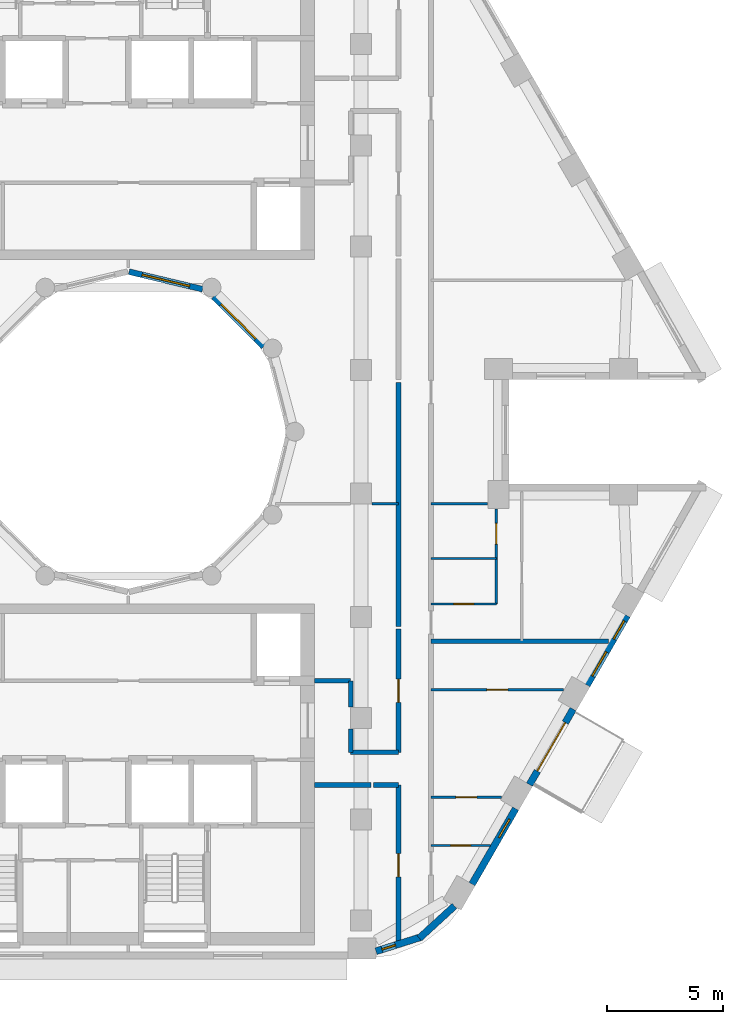
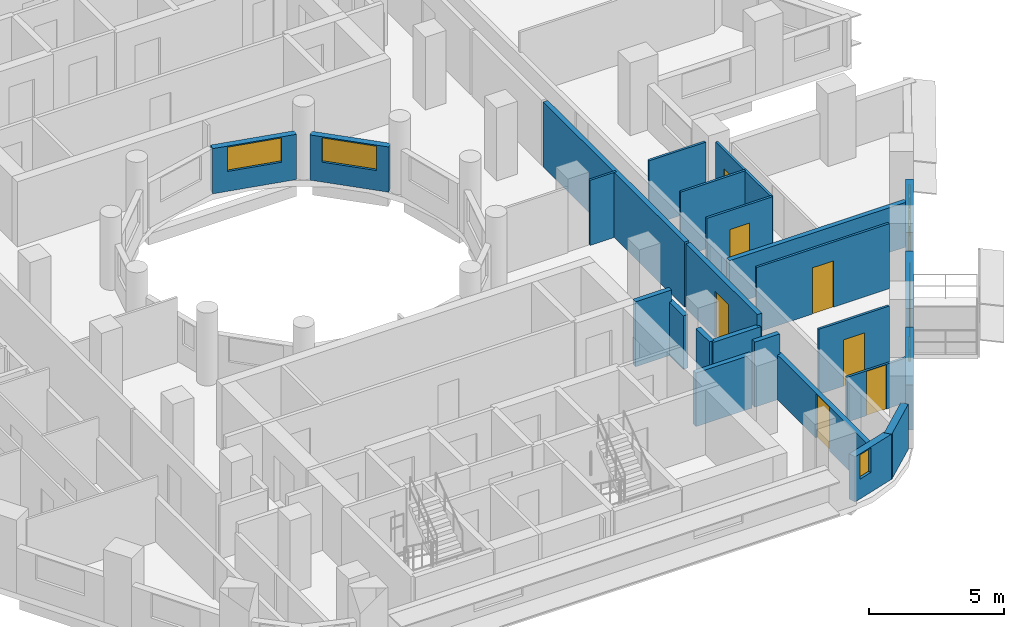
# One storey, part 6 of 15: 25 walls, 8 doors, 6 windows, 14 openings.
"""IFC4 building model written with IfcOpenShell, lengths in metres."""

import ifcopenshell
import ifcopenshell.guid

model = None  # the IFC model being written
_history = None  # IfcOwnerHistory: only IFC2X3 demands one
_inside = {}  # id of a spatial element -> (the spatial element, [elements in it])
_under = {}  # id of a project, library or spatial element -> (it, [spatial elements below it])
_declared = {}  # id of a project -> (the project, [libraries it declares])
_typed = {}  # id of a type object -> (the type object, [elements of that type])
_made_of = {}  # id of a material, layer set ... -> (it, [elements and type objects made of it])


def new_model(schema):
    """Start an empty IFC model of exactly this schema.

    Asked for "IFC4X3", IfcOpenShell would pick the latest addendum, in which some entities
    have other attributes; the version numbers below select the first issue.
    IFC2X3 requires an IfcOwnerHistory on every rooted entity: one is made here for all.
    """
    global model, _history
    if schema == "IFC4X3":
        model = ifcopenshell.file(schema_version=(4, 3, 0, 0))
    else:
        model = ifcopenshell.file(schema=schema)
    _inside.clear()
    _under.clear()
    _declared.clear()
    _typed.clear()
    _made_of.clear()
    _history = None
    if model.schema == "IFC2X3":
        org = make("IfcOrganization", Name="unknown")
        user = make(
            "IfcPersonAndOrganization",
            ThePerson=make("IfcPerson", FamilyName="unknown"),
            TheOrganization=org,
        )
        app = make(
            "IfcApplication",
            ApplicationDeveloper=org,
            Version="unknown",
            ApplicationFullName="unknown",
            ApplicationIdentifier="unknown",
        )
        _history = make(
            "IfcOwnerHistory",
            OwningUser=user,
            OwningApplication=app,
            ChangeAction="ADDED",
            CreationDate=0,
        )
    return model


def make(cls, **values):
    """One entity of the class cls with the attributes given. An attribute that is None is left unset."""
    return model.create_entity(
        cls, **{name: value for name, value in values.items() if value is not None}
    )


def rooted(cls, **values):
    """An entity with a GlobalId (a new one), such as an element, a storey or a relation."""
    return make(cls, GlobalId=ifcopenshell.guid.new(), OwnerHistory=_history, **values)


def si_unit(unit_type, name, prefix=None):
    """IfcSIUnit, for example si_unit("LENGTHUNIT", "METRE", prefix="MILLI")."""
    return make("IfcSIUnit", UnitType=unit_type, Prefix=prefix, Name=name)


def assignment(units):
    """IfcUnitAssignment: the units of a project."""
    return None if units is None else make("IfcUnitAssignment", Units=units)


def point(xyz):
    """IfcCartesianPoint."""
    return None if xyz is None else make("IfcCartesianPoint", Coordinates=xyz)


def direction(xyz):
    """IfcDirection."""
    return None if xyz is None else make("IfcDirection", DirectionRatios=xyz)


def frame(location, z_axis=None, x_axis=None):
    """IfcAxis2Placement3D, a coordinate frame: its origin and axes. An axis left out is left unset."""
    return make(
        "IfcAxis2Placement3D",
        Location=point(location),
        Axis=direction(z_axis),
        RefDirection=direction(x_axis),
    )


def frame_2d(location, x_axis=None):
    """IfcAxis2Placement2D, a coordinate frame in the plane: its origin and x axis."""
    return make(
        "IfcAxis2Placement2D", Location=point(location), RefDirection=direction(x_axis)
    )


def origin():
    """The frame at (0, 0, 0) with its axes left unset."""
    return frame((0.0, 0.0, 0.0))


def place(relative_to, where):
    """IfcLocalPlacement: puts the frame where relative to a parent placement (None: the world)."""
    return make(
        "IfcLocalPlacement", PlacementRelTo=relative_to, RelativePlacement=where
    )


def context(
    kind, dimensions, precision=None, world=None, true_north=None, identifier=None
):
    """IfcGeometricRepresentationContext, for example the 3D "Model" context."""
    return make(
        "IfcGeometricRepresentationContext",
        ContextIdentifier=identifier,
        ContextType=kind,
        CoordinateSpaceDimension=dimensions,
        Precision=precision,
        WorldCoordinateSystem=world,
        TrueNorth=true_north,
    )


def subcontext(parent, identifier, kind, view, scale=None):
    """IfcGeometricRepresentationSubContext, for example "Body" below "Model"."""
    return make(
        "IfcGeometricRepresentationSubContext",
        ContextIdentifier=identifier,
        ContextType=kind,
        ParentContext=parent,
        TargetScale=scale,
        TargetView=view,
    )


def project(units=None, contexts=None):
    """IfcProject with its units and contexts."""
    return rooted(
        "IfcProject",
        Name="project",
        RepresentationContexts=contexts,
        UnitsInContext=assignment(units),
    )


def spatial(cls, under=None, at=None, **own):
    """A site, building, storey or space (cls), placed at a placement, below another one or the project."""
    s = rooted(cls, ObjectPlacement=at, **own)
    if under is not None:
        _under.setdefault(under.id(), (under, []))[1].append(s)
    return s


def profile(cls, at=None, kind="AREA", **sizes):
    """A parametric profile (cls). Its sizes go by their IFC names, for example OverallWidth=200.0."""
    return make(cls, ProfileType=kind, Position=at, **sizes)


def rectangle(**sizes):
    """IfcRectangleProfileDef."""
    return profile("IfcRectangleProfileDef", **sizes)


def extrude(swept, where, along, depth):
    """IfcExtrudedAreaSolid: the profile swept, set in the frame where, extruded along a direction by depth."""
    return make(
        "IfcExtrudedAreaSolid",
        SweptArea=swept,
        Position=where,
        ExtrudedDirection=direction(along),
        Depth=depth,
    )


def shape(context_of_items, identifier, shape_type, items):
    """IfcShapeRepresentation: the items that make up one representation, for example the "Body"."""
    return make(
        "IfcShapeRepresentation",
        ContextOfItems=context_of_items,
        RepresentationIdentifier=identifier,
        RepresentationType=shape_type,
        Items=items,
    )


def material(Name=None, Category=None):
    """IfcMaterial."""
    return make("IfcMaterial", Name=Name, Category=Category)


def layer(
    of_material, thickness, ventilated=None, Name=None, Category=None, Priority=None
):
    """IfcMaterialLayer: one layer of a wall or slab, of a material (None: an air gap)."""
    return make(
        "IfcMaterialLayer",
        Material=of_material,
        LayerThickness=thickness,
        IsVentilated=ventilated,
        Name=Name,
        Category=Category,
        Priority=Priority,
    )


def layer_set(layers, Name=None):
    """IfcMaterialLayerSet."""
    return make("IfcMaterialLayerSet", MaterialLayers=layers, LayerSetName=Name)


def made_of(thing, what):
    """Note that an element or type object is made of a material, layer set ...; save() writes the relation."""
    if what is not None:
        _made_of.setdefault(what.id(), (what, []))[1].append(thing)
    return thing


def type_object(cls, material=None, **own):
    """A type object (cls), such as IfcWallType, which elements share."""
    return made_of(rooted(cls, **own), material)


def element(
    cls,
    number,
    at=None,
    inside=None,
    cuts=None,
    type_object=None,
    material=None,
    context=None,
    identifier="Body",
    shape_type=None,
    held_by="IfcProductDefinitionShape",
    body=None,
    shapes=None,
    **own,
):
    """One element of the class cls, such as IfcWall. Its Tag is "e" and its number.

    at: its placement. inside: the storey or other place that contains it. cuts: it is an
    opening in that element (IfcRelVoidsElement). A single representation is given by context,
    identifier, shape_type and body (its items); several are given by shapes. held_by: the class
    of the entity that holds the representations. save() writes the other relations.
    """
    e = rooted(cls, Tag="e%d" % number, ObjectPlacement=at, **own)
    if body is not None:
        shapes = [shape(context, identifier, shape_type, body)]
    if shapes is not None:
        e.Representation = make(held_by, Representations=shapes)
    if inside is not None:
        _inside.setdefault(inside.id(), (inside, []))[1].append(e)
    if cuts is not None:
        rooted(
            "IfcRelVoidsElement", RelatingBuildingElement=cuts, RelatedOpeningElement=e
        )
    if type_object is not None:
        _typed.setdefault(type_object.id(), (type_object, []))[1].append(e)
    return made_of(e, material)


def fill(opening, filler):
    """IfcRelFillsElement: the door or window that sits in an opening."""
    return rooted(
        "IfcRelFillsElement",
        RelatingOpeningElement=opening,
        RelatedBuildingElement=filler,
    )


def aggregate(whole, parts):
    """IfcRelAggregates: a whole, such as a stair, and the parts it consists of."""
    return rooted("IfcRelAggregates", RelatingObject=whole, RelatedObjects=parts)


def save(model, path):
    """Write the relations noted so far, then the file.

    IfcRelAggregates (storeys below a building ...), IfcRelContainedInSpatialStructure (elements
    in a storey), IfcRelDefinesByType, IfcRelAssociatesMaterial and IfcRelDeclares: one each for
    every whole, place, type object, material and project.
    """
    for whole, parts in _under.values():
        aggregate(whole, parts)
    for where, things in _inside.values():
        rooted(
            "IfcRelContainedInSpatialStructure",
            RelatedElements=things,
            RelatingStructure=where,
        )
    for kind, things in _typed.values():
        rooted("IfcRelDefinesByType", RelatedObjects=things, RelatingType=kind)
    for what, things in _made_of.values():
        rooted("IfcRelAssociatesMaterial", RelatedObjects=things, RelatingMaterial=what)
    for by, libraries in _declared.values():
        rooted("IfcRelDeclares", RelatingContext=by, RelatedDefinitions=libraries)
    model.write(path)


model = new_model("IFC4")

# Units and contexts
model_context = context("Model", 3, precision=1e-05, world=origin(), true_north=direction((0.0, 1.0)))
body_context = subcontext(model_context, "Body", "Model", "MODEL_VIEW")
ifc_project = project(units=[si_unit("LENGTHUNIT", "METRE"), si_unit("AREAUNIT", "SQUARE_METRE"), si_unit("VOLUMEUNIT", "CUBIC_METRE"), si_unit("PLANEANGLEUNIT", "RADIAN"), si_unit("MASSUNIT", "GRAM", prefix="KILO")], contexts=[model_context])

# Site, building, storey
site_placement = place(None, origin())
site = spatial("IfcSite", under=ifc_project, at=site_placement, CompositionType="ELEMENT")
building_placement = place(site_placement, origin())
building = spatial("IfcBuilding", under=site, at=building_placement, Name="Nakaniwa Court", CompositionType="ELEMENT")
storey_placement = place(building_placement, frame((0.0, 0.0, 216.300048828125)))
storey = spatial("IfcBuildingStorey", under=building, at=storey_placement, Name="L57", CompositionType="ELEMENT", Elevation=216.300048828125)

# Wall, opening, door
ifc_material_1 = material(Name="Acoustic double stud partition")
ifc_layer_1 = layer(ifc_material_1, 0.199951171875)
ifc_layer_set_1 = layer_set([ifc_layer_1], Name="Acoustic double stud partition")
wall_type_1 = type_object("IfcWallType", Name="Acoustic double stud partition 200", PredefinedType="PARTITIONING", material=ifc_layer_set_1)
wall_1_placement = place(storey_placement, frame((91.60009765625, 57.92626953125, 0.0), z_axis=(0.0, 0.0, 1.0), x_axis=(0.0, 1.0, 0.0)))
wall_1 = element("IfcWall", 1, at=wall_1_placement, inside=storey, type_object=wall_type_1, Name="Partition PW-065", PredefinedType="PARTITIONING", context=body_context, shape_type="SweptSolid", body=[
    extrude(rectangle(XDim=6.898681640625, YDim=0.199951171875, at=frame_2d((3.44921875, 0.0))), origin(), (0.0, 0.0, 1.0), 2.030029296875),
])
opening_1_placement = place(wall_1_placement, frame((2.948974609375, 0.0, 0.0)))
opening_1 = element("IfcOpeningElement", 2, at=opening_1_placement, cuts=wall_1, Name="Opening D-36-01", PredefinedType="OPENING", context=body_context, shape_type="SweptSolid", body=[
    extrude(rectangle(XDim=1.0, YDim=2.010009765625, at=frame_2d((0.5, 1.0048828125))), frame((0.0, 0.10986328125, 0.0), z_axis=(0.0, -1.0, 0.0), x_axis=(1.0, 0.0, 0.0)), (0.0, 0.0, 1.0), 0.219970703125),
])
ifc_material_2 = material(Name="Solid core timber door set, black veneer", Category="wood")
door_type_1 = type_object("IfcDoorType", Name="Internal door 1000 x 2010", OperationType="NOTDEFINED", PredefinedType="DOOR", material=ifc_material_2)
door_1_placement = place(opening_1_placement, origin())
door_1 = element("IfcDoor", 3, at=door_1_placement, inside=storey, type_object=door_type_1, Name="Door D-36-01 L57-021", OperationType="SINGLE_SWING_RIGHT", OverallHeight=2.010009765625, OverallWidth=1.0, PredefinedType="DOOR", context=body_context, shape_type="SweptSolid", body=[
    extrude(rectangle(XDim=1.0, YDim=2.010009765625, at=frame_2d((0.5, 1.0048828125))), frame((0.0, 0.02490234375, 0.0), z_axis=(0.0, -1.0, 0.0), x_axis=(1.0, 0.0, 0.0)), (0.0, 0.0, 1.0), 0.050048828125),
])
fill(opening_1, door_1)

wall_2_placement = place(storey_placement, frame((91.60009765625, 66.22509765625, 0.0), z_axis=(0.0, 0.0, 1.0), x_axis=(0.0, 1.0, 0.0)))
wall_2 = element("IfcWall", 4, at=wall_2_placement, inside=storey, type_object=wall_type_1, Name="Partition PW-066", PredefinedType="PARTITIONING", context=body_context, shape_type="SweptSolid", body=[
    extrude(rectangle(XDim=5.297607421875, YDim=0.199951171875, at=frame_2d((2.64892578125, 0.0))), origin(), (0.0, 0.0, 1.0), 2.949951171875),
])
opening_2_placement = place(wall_2_placement, frame((2.14794921875, 0.0, 0.0)))
opening_2 = element("IfcOpeningElement", 5, at=opening_2_placement, cuts=wall_2, Name="Opening D-02-01", PredefinedType="OPENING", context=body_context, shape_type="SweptSolid", body=[
    extrude(rectangle(XDim=1.0, YDim=2.10009765625, at=frame_2d((0.5, 1.050048828125))), frame((0.0, 0.10986328125, 0.0), z_axis=(0.0, -1.0, 0.0), x_axis=(1.0, 0.0, 0.0)), (0.0, 0.0, 1.0), 0.219970703125),
])
door_type_2 = type_object("IfcDoorType", Name="Internal door 1000", OperationType="NOTDEFINED", PredefinedType="DOOR", material=ifc_material_2)
door_2_placement = place(opening_2_placement, origin())
door_2 = element("IfcDoor", 6, at=door_2_placement, inside=storey, type_object=door_type_2, Name="Door D-02-01 L57-026", OperationType="SINGLE_SWING_LEFT", OverallHeight=2.10009765625, OverallWidth=1.0, PredefinedType="DOOR", context=body_context, shape_type="SweptSolid", body=[
    extrude(rectangle(XDim=1.0, YDim=2.10009765625, at=frame_2d((0.5, 1.050048828125))), frame((0.0, 0.02490234375, 0.0), z_axis=(0.0, -1.0, 0.0), x_axis=(1.0, 0.0, 0.0)), (0.0, 0.0, 1.0), 0.050048828125),
])
fill(opening_2, door_2)

# Walls
wall_3_placement = place(storey_placement, frame((91.60009765625, 71.63720703125, 0.0), z_axis=(0.0, 0.0, 1.0), x_axis=(0.0, 1.0, 0.0)))
element("IfcWall", 7, at=wall_3_placement, inside=storey, type_object=wall_type_1, Name="Partition PW-067", PredefinedType="PARTITIONING", context=body_context, shape_type="SweptSolid", body=[
    extrude(rectangle(XDim=10.485595703125, YDim=0.199951171875, at=frame_2d((5.24267578125, 0.0))), origin(), (0.0, 0.0, 1.0), 2.949951171875),
])
wall_4_placement = place(storey_placement, frame((88.0, 64.824951171875, 0.0), z_axis=(0.0, 0.0, 1.0), x_axis=(1.0, 0.0, 0.0)))
element("IfcWall", 8, at=wall_4_placement, inside=storey, type_object=wall_type_1, Name="Partition PW-073", PredefinedType="PARTITIONING", context=body_context, shape_type="SweptSolid", body=[
    extrude(rectangle(XDim=2.412841796875, YDim=0.199951171875, at=frame_2d((1.20654296875, 0.0))), origin(), (0.0, 0.0, 1.0), 2.429931640625),
])
wall_5_placement = place(storey_placement, frame((90.527099609375, 64.824951171875, 0.0), z_axis=(0.0, 0.0, 1.0), x_axis=(1.0, 0.0, 0.0)))
element("IfcWall", 9, at=wall_5_placement, inside=storey, type_object=wall_type_1, Name="Partition PW-074", PredefinedType="PARTITIONING", context=body_context, shape_type="SweptSolid", body=[
    extrude(rectangle(XDim=1.072998046875, YDim=0.199951171875, at=frame_2d((0.53662109375, 0.0))), origin(), (0.0, 0.0, 1.0), 2.949951171875),
])
wall_6_placement = place(storey_placement, frame((88.0, 69.300048828125, 0.0), z_axis=(0.0, 0.0, 1.0), x_axis=(1.0, 0.0, 0.0)))
element("IfcWall", 10, at=wall_6_placement, inside=storey, type_object=wall_type_1, Name="Partition PW-077", PredefinedType="PARTITIONING", context=body_context, shape_type="SweptSolid", body=[
    extrude(rectangle(XDim=1.550048828125, YDim=0.199951171875, at=frame_2d((0.77490234375, 0.0))), origin(), (0.0, 0.0, 1.0), 2.949951171875),
])
wall_7_placement = place(storey_placement, frame((89.550048828125, 66.22509765625, 0.0), z_axis=(0.0, 0.0, 1.0), x_axis=(0.0, 1.0, 0.0)))
element("IfcWall", 11, at=wall_7_placement, inside=storey, type_object=wall_type_1, Name="Partition PW-078", PredefinedType="PARTITIONING", context=body_context, shape_type="SweptSolid", body=[
    extrude(rectangle(XDim=1.0078125, YDim=0.199951171875, at=frame_2d((0.50390625, 0.0))), origin(), (0.0, 0.0, 1.0), 2.429931640625),
])
wall_8_placement = place(storey_placement, frame((89.550048828125, 68.167236328125, 0.0), z_axis=(0.0, 0.0, 1.0), x_axis=(0.0, 1.0, 0.0)))
element("IfcWall", 12, at=wall_8_placement, inside=storey, type_object=wall_type_1, Name="Partition PW-079", PredefinedType="PARTITIONING", context=body_context, shape_type="SweptSolid", body=[
    extrude(rectangle(XDim=1.1328125, YDim=0.199951171875, at=frame_2d((0.56640625, 0.0))), origin(), (0.0, 0.0, 1.0), 2.429931640625),
])
wall_9_placement = place(storey_placement, frame((89.550048828125, 66.22509765625, 0.0), z_axis=(0.0, 0.0, 1.0), x_axis=(1.0, 0.0, 0.0)))
element("IfcWall", 13, at=wall_9_placement, inside=storey, type_object=wall_type_1, Name="Partition PW-083", PredefinedType="PARTITIONING", context=body_context, shape_type="SweptSolid", body=[
    extrude(rectangle(XDim=2.050048828125, YDim=0.199951171875, at=frame_2d((1.02490234375, 0.0))), origin(), (0.0, 0.0, 1.0), 2.429931640625),
])
wall_10_placement = place(storey_placement, frame((93.0009765625, 71.0, 0.0), z_axis=(0.0, 0.0, 1.0), x_axis=(1.0, 0.0, 0.0)))
element("IfcWall", 14, at=wall_10_placement, inside=storey, type_object=wall_type_1, Name="Partition PW-110", PredefinedType="PARTITIONING", context=body_context, shape_type="SweptSolid", body=[
    extrude(rectangle(XDim=7.6103515625, YDim=0.199951171875, at=frame_2d((3.80517578125, 0.0))), origin(), (0.0, 0.0, 1.0), 2.030029296875),
])

# Wall, opening, window
ifc_material_3 = material(Name="Charcoal ceramic cladding")
ifc_layer_2 = layer(ifc_material_3, 0.02, Name="Ceramic cladding")
ifc_material_4 = material(Name="Ventilated air cavity")
ifc_layer_3 = layer(ifc_material_4, 0.04, ventilated=True, Name="Ventilated cavity")
ifc_material_5 = material(Name="Mineral wool insulation")
ifc_layer_4 = layer(ifc_material_5, 0.1, Name="Insulation")
ifc_material_6 = material(Name="Cement bonded sheathing board")
ifc_layer_5 = layer(ifc_material_6, 0.012, Name="Sheathing")
ifc_material_7 = material(Name="Cold-formed galvanised stud frame with mineral wool infill")
ifc_layer_6 = layer(ifc_material_7, 0.1, Name="Stud frame")
ifc_material_8 = material(Name="Fire-rated gypsum plasterboard lining")
ifc_layer_7 = layer(ifc_material_8, 0.028, Name="Lining")
ifc_layer_set_2 = layer_set([ifc_layer_2, ifc_layer_3, ifc_layer_4, ifc_layer_5, ifc_layer_6, ifc_layer_7], Name="Charcoal ceramic faced external wall system")
wall_type_2 = type_object("IfcWallType", Name="Black ceramic faced external wall 300", PredefinedType="SOLIDWALL", material=ifc_layer_set_2)
wall_11_placement = place(storey_placement, frame((90.6357421875, 57.684814453125, 0.0), z_axis=(0.0, 0.0, 1.0), x_axis=(0.95368324118, 0.300812691707, 0.0)))
wall_11 = element("IfcWall", 15, at=wall_11_placement, inside=storey, type_object=wall_type_2, Name="L57 external wall 27", PredefinedType="SOLIDWALL", context=body_context, shape_type="SweptSolid", body=[
    extrude(rectangle(XDim=2.053466796875, YDim=0.300048828125, at=frame_2d((1.02685546875, 0.0))), origin(), (0.0, 0.0, 1.0), 2.050048828125),
])
opening_3_placement = place(wall_11_placement, frame((0.271240234375, 0.0, 0.89990234375)))
opening_3 = element("IfcOpeningElement", 16, at=opening_3_placement, cuts=wall_11, Name="Opening W8.31", PredefinedType="OPENING", context=body_context, shape_type="SweptSolid", body=[
    extrude(rectangle(XDim=0.60009765625, YDim=1.10009765625, at=frame_2d((0.300048828125, 0.550048828125))), frame((0.0, 0.159912109375, 0.0), z_axis=(0.0, -1.0, 0.0), x_axis=(1.0, 0.0, 0.0)), (0.0, 0.0, 1.0), 0.320068359375),
])
ifc_material_9 = material(Name="Black anodised aluminium frame with dark low-E laminated double glazing", Category="aluminium")
window_type_1 = type_object("IfcWindowType", Name="Dark glass window 600x1100 sill 900", PartitioningType="SINGLE_PANEL", PredefinedType="WINDOW", material=ifc_material_9)
window_1_placement = place(opening_3_placement, origin())
window_1 = element("IfcWindow", 17, at=window_1_placement, inside=storey, type_object=window_type_1, Name="L57 habitable room window 27-0", OverallHeight=1.10009765625, OverallWidth=0.60009765625, PartitioningType="SINGLE_PANEL", PredefinedType="WINDOW", context=body_context, shape_type="SweptSolid", body=[
    extrude(rectangle(XDim=0.60009765625, YDim=1.10009765625, at=frame_2d((0.300048828125, 0.550048828125))), frame((0.0, 0.030029296875, 0.0), z_axis=(0.0, -1.0, 0.0), x_axis=(1.0, 0.0, 0.0)), (0.0, 0.0, 1.0), 0.06005859375),
])
fill(opening_3, window_1)

# Wall
wall_12_placement = place(storey_placement, frame((92.494140625, 58.243896484375, 0.0), z_axis=(0.0, 0.0, 1.0), x_axis=(0.73764876128, 0.675184645102, 0.0)))
element("IfcWall", 18, at=wall_12_placement, inside=storey, type_object=wall_type_2, Name="L57 external wall 28", PredefinedType="SOLIDWALL", context=body_context, shape_type="SweptSolid", body=[
    extrude(rectangle(XDim=2.048095703125, YDim=0.300048828125, at=frame_2d((1.02392578125, 0.0))), origin(), (0.0, 0.0, 1.0), 2.050048828125),
])

# Wall, opening, window
wall_13_placement = place(storey_placement, frame((94.760986328125, 60.566650390625, 0.0), z_axis=(0.0, 0.0, 1.0), x_axis=(0.499982088007, 0.866035745032, 0.0)))
wall_13 = element("IfcWall", 19, at=wall_13_placement, inside=storey, type_object=wall_type_2, Name="L57 external wall 29", PredefinedType="SOLIDWALL", context=body_context, shape_type="SweptSolid", body=[
    extrude(rectangle(XDim=3.744384765625, YDim=0.300048828125, at=frame_2d((1.8720703125, 0.0))), origin(), (0.0, 0.0, 1.0), 2.050048828125),
])
opening_4_placement = place(wall_13_placement, frame((2.318603515625, 0.0, 1.5)))
opening_4 = element("IfcOpeningElement", 20, at=opening_4_placement, cuts=wall_13, Name="Opening W10.32", PredefinedType="OPENING", context=body_context, shape_type="SweptSolid", body=[
    extrude(rectangle(XDim=0.89990234375, YDim=0.5, at=frame_2d((0.449951171875, 0.25))), frame((0.0, 0.159912109375, 0.0), z_axis=(0.0, -1.0, 0.0), x_axis=(1.0, 0.0, 0.0)), (0.0, 0.0, 1.0), 0.320068359375),
])
window_type_2 = type_object("IfcWindowType", Name="Dark glass window 900x500 sill 1500", PartitioningType="SINGLE_PANEL", PredefinedType="WINDOW", material=ifc_material_9)
window_2_placement = place(opening_4_placement, origin())
window_2 = element("IfcWindow", 21, at=window_2_placement, inside=storey, type_object=window_type_2, Name="L57 bathroom window 29-1", OverallHeight=0.5, OverallWidth=0.89990234375, PartitioningType="SINGLE_PANEL", PredefinedType="WINDOW", context=body_context, shape_type="SweptSolid", body=[
    extrude(rectangle(XDim=0.89990234375, YDim=0.5, at=frame_2d((0.449951171875, 0.25))), frame((0.0, 0.030029296875, 0.0), z_axis=(0.0, -1.0, 0.0), x_axis=(1.0, 0.0, 0.0)), (0.0, 0.0, 1.0), 0.06005859375),
])
fill(opening_4, window_2)

# Wall, opening, door
wall_14_placement = place(storey_placement, frame((97.22900390625, 64.841552734375, 0.0), z_axis=(0.0, 0.0, 1.0), x_axis=(0.500059225181, 0.86599120741, 0.0)))
wall_14 = element("IfcWall", 22, at=wall_14_placement, inside=storey, type_object=wall_type_2, Name="L57 external wall 30", PredefinedType="SOLIDWALL", context=body_context, shape_type="SweptSolid", body=[
    extrude(rectangle(XDim=3.744140625, YDim=0.300048828125, at=frame_2d((1.8720703125, 0.0))), origin(), (0.0, 0.0, 1.0), 2.050048828125),
])
opening_5_placement = place(wall_14_placement, frame((0.672119140625, 0.0, 0.0)))
opening_5 = element("IfcOpeningElement", 23, at=opening_5_placement, cuts=wall_14, Name="Opening XD13.02", PredefinedType="OPENING", context=body_context, shape_type="SweptSolid", body=[
    extrude(rectangle(XDim=2.39990234375, YDim=2.0, at=frame_2d((1.199951171875, 1.0))), frame((0.0, 0.159912109375, 0.0), z_axis=(0.0, -1.0, 0.0), x_axis=(1.0, 0.0, 0.0)), (0.0, 0.0, 1.0), 0.320068359375),
])
ifc_material_10 = material(Name="Black powder-coated aluminium frame with dark laminated glass", Category="aluminium")
door_type_3 = type_object("IfcDoorType", Name="Balcony sliding door 2400x2000", OperationType="DOUBLE_DOOR_SLIDING", PredefinedType="DOOR", material=ifc_material_10)
door_3_placement = place(opening_5_placement, origin())
door_3 = element("IfcDoor", 24, at=door_3_placement, inside=storey, type_object=door_type_3, Name="L57 balcony sliding door 02", OperationType="DOUBLE_DOOR_SLIDING", OverallHeight=2.0, OverallWidth=2.39990234375, PredefinedType="DOOR", context=body_context, shape_type="SweptSolid", body=[
    extrude(rectangle(XDim=2.39990234375, YDim=2.0, at=frame_2d((1.199951171875, 1.0))), frame((0.0, 0.02490234375, 0.0), z_axis=(0.0, -1.0, 0.0), x_axis=(1.0, 0.0, 0.0)), (0.0, 0.0, 1.0), 0.050048828125),
])
fill(opening_5, door_3)

# Wall, openings, windows
wall_15_placement = place(storey_placement, frame((99.697265625, 69.116455078125, 0.0), z_axis=(0.0, 0.0, 1.0), x_axis=(0.499955427682, 0.866051136095, 0.0)))
wall_15 = element("IfcWall", 25, at=wall_15_placement, inside=storey, type_object=wall_type_2, Name="L57 external wall 31", PredefinedType="SOLIDWALL", context=body_context, shape_type="SweptSolid", body=[
    extrude(rectangle(XDim=3.447021484375, YDim=0.300048828125, at=frame_2d((1.7236328125, 0.0))), origin(), (0.0, 0.0, 1.0), 2.050048828125),
])
opening_6_placement = place(wall_15_placement, frame((0.450439453125, 0.0, 0.89990234375)))
opening_6 = element("IfcOpeningElement", 26, at=opening_6_placement, cuts=wall_15, Name="Opening W6.33", PredefinedType="OPENING", context=body_context, shape_type="SweptSolid", body=[
    extrude(rectangle(XDim=1.199951171875, YDim=1.10009765625, at=frame_2d((0.60009765625, 0.550048828125))), frame((0.0, 0.159912109375, 0.0), z_axis=(0.0, -1.0, 0.0), x_axis=(1.0, 0.0, 0.0)), (0.0, 0.0, 1.0), 0.320068359375),
])
opening_7_placement = place(wall_15_placement, frame((2.286865234375, 0.0, 0.89990234375)))
opening_7 = element("IfcOpeningElement", 27, at=opening_7_placement, cuts=wall_15, Name="Opening W9.34", PredefinedType="OPENING", context=body_context, shape_type="SweptSolid", body=[
    extrude(rectangle(XDim=0.89990234375, YDim=1.10009765625, at=frame_2d((0.449951171875, 0.550048828125))), frame((0.0, 0.159912109375, 0.0), z_axis=(0.0, -1.0, 0.0), x_axis=(1.0, 0.0, 0.0)), (0.0, 0.0, 1.0), 0.320068359375),
])
window_type_3 = type_object("IfcWindowType", Name="Dark glass window 1200x1100 sill 900", PartitioningType="SINGLE_PANEL", PredefinedType="WINDOW", material=ifc_material_9)
window_3_placement = place(opening_6_placement, origin())
window_3 = element("IfcWindow", 28, at=window_3_placement, inside=storey, type_object=window_type_3, Name="L57 habitable room window 31-0", OverallHeight=1.10009765625, OverallWidth=1.199951171875, PartitioningType="SINGLE_PANEL", PredefinedType="WINDOW", context=body_context, shape_type="SweptSolid", body=[
    extrude(rectangle(XDim=1.199951171875, YDim=1.10009765625, at=frame_2d((0.60009765625, 0.550048828125))), frame((0.0, 0.030029296875, 0.0), z_axis=(0.0, -1.0, 0.0), x_axis=(1.0, 0.0, 0.0)), (0.0, 0.0, 1.0), 0.06005859375),
])
fill(opening_6, window_3)
window_type_4 = type_object("IfcWindowType", Name="Dark glass window 900x1100 sill 900", PartitioningType="SINGLE_PANEL", PredefinedType="WINDOW", material=ifc_material_9)
window_4_placement = place(opening_7_placement, origin())
window_4 = element("IfcWindow", 29, at=window_4_placement, inside=storey, type_object=window_type_4, Name="L57 living window 31-1", OverallHeight=1.10009765625, OverallWidth=0.89990234375, PartitioningType="SINGLE_PANEL", PredefinedType="WINDOW", context=body_context, shape_type="SweptSolid", body=[
    extrude(rectangle(XDim=0.89990234375, YDim=1.10009765625, at=frame_2d((0.449951171875, 0.550048828125))), frame((0.0, 0.030029296875, 0.0), z_axis=(0.0, -1.0, 0.0), x_axis=(1.0, 0.0, 0.0)), (0.0, 0.0, 1.0), 0.06005859375),
])
fill(opening_7, window_4)

# Wall, opening, window
ifc_layer_8 = layer(ifc_material_3, 0.02, Name="Ceramic cladding")
ifc_layer_9 = layer(ifc_material_4, 0.04, ventilated=True, Name="Ventilated cavity")
ifc_layer_10 = layer(ifc_material_5, 0.075, Name="Insulation")
ifc_layer_11 = layer(ifc_material_6, 0.012, Name="Sheathing")
ifc_layer_12 = layer(ifc_material_7, 0.075, Name="Stud frame")
ifc_layer_13 = layer(ifc_material_8, 0.028, Name="Lining")
ifc_layer_set_3 = layer_set([ifc_layer_8, ifc_layer_9, ifc_layer_10, ifc_layer_11, ifc_layer_12, ifc_layer_13], Name="Charcoal ceramic faced external wall system")
wall_type_3 = type_object("IfcWallType", Name="Charcoal ceramic faced well wall 250", PredefinedType="SOLIDWALL", material=ifc_layer_set_3)
wall_16_placement = place(storey_placement, frame((80.029052734375, 86.87158203125, 0.0), z_axis=(0.0, 0.0, 1.0), x_axis=(0.972773113459, -0.231759508395, 0.0)))
wall_16 = element("IfcWall", 30, at=wall_16_placement, inside=storey, type_object=wall_type_3, Name="L57 external wall 45", PredefinedType="SOLIDWALL", context=body_context, shape_type="SweptSolid", body=[
    extrude(rectangle(XDim=3.24560546875, YDim=0.25, at=frame_2d((1.622802734375, 0.0))), origin(), (0.0, 0.0, 1.0), 2.050048828125),
])
opening_8_placement = place(wall_16_placement, frame((0.57275390625, 0.0, 0.89990234375)))
opening_8 = element("IfcOpeningElement", 31, at=opening_8_placement, cuts=wall_16, Name="Opening W7.47", PredefinedType="OPENING", context=body_context, shape_type="SweptSolid", body=[
    extrude(rectangle(XDim=2.10009765625, YDim=1.10009765625, at=frame_2d((1.050048828125, 0.550048828125))), frame((0.0, 0.135009765625, 0.0), z_axis=(0.0, -1.0, 0.0), x_axis=(1.0, 0.0, 0.0)), (0.0, 0.0, 1.0), 0.27001953125),
])
window_type_5 = type_object("IfcWindowType", Name="Dark glass window 2100x1100 sill 900", PartitioningType="SINGLE_PANEL", PredefinedType="WINDOW", material=ifc_material_9)
window_5_placement = place(opening_8_placement, origin())
window_5 = element("IfcWindow", 32, at=window_5_placement, inside=storey, type_object=window_type_5, Name="L57 habitable room window 45-0", OverallHeight=1.10009765625, OverallWidth=2.10009765625, PartitioningType="SINGLE_PANEL", PredefinedType="WINDOW", context=body_context, shape_type="SweptSolid", body=[
    extrude(rectangle(XDim=2.10009765625, YDim=1.10009765625, at=frame_2d((1.050048828125, 0.550048828125))), frame((0.0, 0.030029296875, 0.0), z_axis=(0.0, -1.0, 0.0), x_axis=(1.0, 0.0, 0.0)), (0.0, 0.0, 1.0), 0.06005859375),
])
fill(opening_8, window_5)

wall_17_placement = place(storey_placement, frame((83.660888671875, 85.8056640625, 0.0), z_axis=(0.0, 0.0, 1.0), x_axis=(0.707106781187, -0.707106781187, 0.0)))
wall_17 = element("IfcWall", 33, at=wall_17_placement, inside=storey, type_object=wall_type_3, Name="L57 external wall 46", PredefinedType="SOLIDWALL", context=body_context, shape_type="SweptSolid", body=[
    extrude(rectangle(XDim=3.033203125, YDim=0.25, at=frame_2d((1.5166015625, 0.0))), origin(), (0.0, 0.0, 1.0), 2.050048828125),
])
opening_9_placement = place(wall_17_placement, frame((0.466552734375, 0.0, 0.89990234375)))
opening_9 = element("IfcOpeningElement", 34, at=opening_9_placement, cuts=wall_17, Name="Opening W7.48", PredefinedType="OPENING", context=body_context, shape_type="SweptSolid", body=[
    extrude(rectangle(XDim=2.10009765625, YDim=1.10009765625, at=frame_2d((1.050048828125, 0.550048828125))), frame((0.0, 0.135009765625, 0.0), z_axis=(0.0, -1.0, 0.0), x_axis=(1.0, 0.0, 0.0)), (0.0, 0.0, 1.0), 0.27001953125),
])
window_6_placement = place(opening_9_placement, origin())
window_6 = element("IfcWindow", 35, at=window_6_placement, inside=storey, type_object=window_type_5, Name="L57 habitable room window 46-0", OverallHeight=1.10009765625, OverallWidth=2.10009765625, PartitioningType="SINGLE_PANEL", PredefinedType="WINDOW", context=body_context, shape_type="SweptSolid", body=[
    extrude(rectangle(XDim=2.10009765625, YDim=1.10009765625, at=frame_2d((1.050048828125, 0.550048828125))), frame((0.0, 0.030029296875, 0.0), z_axis=(0.0, -1.0, 0.0), x_axis=(1.0, 0.0, 0.0)), (0.0, 0.0, 1.0), 0.06005859375),
])
fill(opening_9, window_6)

# Wall, opening, door
ifc_material_11 = material(Name="Single stud plasterboard partition")
ifc_layer_14 = layer(ifc_material_11, 0.10009765625)
ifc_layer_set_4 = layer_set([ifc_layer_14], Name="Single stud plasterboard partition")
wall_type_4 = type_object("IfcWallType", Name="Single stud plasterboard partition 100", PredefinedType="PARTITIONING", material=ifc_layer_set_4)
wall_18_placement = place(storey_placement, frame((93.0009765625, 62.22509765625, 0.0), z_axis=(0.0, 0.0, 1.0), x_axis=(1.0, 0.0, 0.0)))
wall_18 = element("IfcWall", 36, at=wall_18_placement, inside=storey, type_object=wall_type_4, Name="Partition PW-107", PredefinedType="PARTITIONING", context=body_context, shape_type="SweptSolid", body=[
    extrude(rectangle(XDim=2.544189453125, YDim=0.10009765625, at=frame_2d((1.27197265625, 0.0))), origin(), (0.0, 0.0, 1.0), 2.030029296875),
])
opening_10_placement = place(wall_18_placement, frame((0.846923828125, 0.0, 0.0)))
opening_10 = element("IfcOpeningElement", 37, at=opening_10_placement, cuts=wall_18, Name="Opening D-38-01", PredefinedType="OPENING", context=body_context, shape_type="SweptSolid", body=[
    extrude(rectangle(XDim=0.85009765625, YDim=2.010009765625, at=frame_2d((0.425048828125, 1.0048828125))), frame((0.0, 0.06005859375, 0.0), z_axis=(0.0, -1.0, 0.0), x_axis=(1.0, 0.0, 0.0)), (0.0, 0.0, 1.0), 0.1201171875),
])
ifc_material_12 = material(Name="Moisture sealed timber door set", Category="wood")
door_type_4 = type_object("IfcDoorType", Name="Bathroom door 850 x 2010", OperationType="NOTDEFINED", PredefinedType="DOOR", material=ifc_material_12)
door_4_placement = place(opening_10_placement, origin())
door_4 = element("IfcDoor", 38, at=door_4_placement, inside=storey, type_object=door_type_4, Name="Door D-38-01 L57-023", OperationType="SINGLE_SWING_RIGHT", OverallHeight=2.010009765625, OverallWidth=0.85009765625, PredefinedType="DOOR", context=body_context, shape_type="SweptSolid", body=[
    extrude(rectangle(XDim=0.85009765625, YDim=2.010009765625, at=frame_2d((0.425048828125, 1.0048828125))), frame((0.0, 0.02490234375, 0.0), z_axis=(0.0, -1.0, 0.0), x_axis=(1.0, 0.0, 0.0)), (0.0, 0.0, 1.0), 0.050048828125),
])
fill(opening_10, door_4)

wall_19_placement = place(storey_placement, frame((93.0009765625, 64.302978515625, 0.0), z_axis=(0.0, 0.0, 1.0), x_axis=(1.0, 0.0, 0.0)))
wall_19 = element("IfcWall", 39, at=wall_19_placement, inside=storey, type_object=wall_type_4, Name="Partition PW-108", PredefinedType="PARTITIONING", context=body_context, shape_type="SweptSolid", body=[
    extrude(rectangle(XDim=3.0283203125, YDim=0.10009765625, at=frame_2d((1.51416015625, 0.0))), origin(), (0.0, 0.0, 1.0), 2.949951171875),
])
opening_11_placement = place(wall_19_placement, frame((1.06396484375, 0.0, 0.0)))
opening_11 = element("IfcOpeningElement", 40, at=opening_11_placement, cuts=wall_19, Name="Opening D-33-01", PredefinedType="OPENING", context=body_context, shape_type="SweptSolid", body=[
    extrude(rectangle(XDim=0.89990234375, YDim=2.10009765625, at=frame_2d((0.449951171875, 1.050048828125))), frame((0.0, 0.06005859375, 0.0), z_axis=(0.0, -1.0, 0.0), x_axis=(1.0, 0.0, 0.0)), (0.0, 0.0, 1.0), 0.1201171875),
])
door_type_5 = type_object("IfcDoorType", Name="Internal door 900", OperationType="NOTDEFINED", PredefinedType="DOOR", material=ifc_material_2)
door_5_placement = place(opening_11_placement, origin())
door_5 = element("IfcDoor", 41, at=door_5_placement, inside=storey, type_object=door_type_5, Name="Door D-33-01 L57-024", OperationType="SINGLE_SWING_LEFT", OverallHeight=2.10009765625, OverallWidth=0.89990234375, PredefinedType="DOOR", context=body_context, shape_type="SweptSolid", body=[
    extrude(rectangle(XDim=0.89990234375, YDim=2.10009765625, at=frame_2d((0.449951171875, 1.050048828125))), frame((0.0, 0.02490234375, 0.0), z_axis=(0.0, -1.0, 0.0), x_axis=(1.0, 0.0, 0.0)), (0.0, 0.0, 1.0), 0.050048828125),
])
fill(opening_11, door_5)

wall_20_placement = place(storey_placement, frame((93.0009765625, 68.922119140625, 0.0), z_axis=(0.0, 0.0, 1.0), x_axis=(1.0, 0.0, 0.0)))
wall_20 = element("IfcWall", 42, at=wall_20_placement, inside=storey, type_object=wall_type_4, Name="Partition PW-109", PredefinedType="PARTITIONING", context=body_context, shape_type="SweptSolid", body=[
    extrude(rectangle(XDim=5.694580078125, YDim=0.10009765625, at=frame_2d((2.84716796875, 0.0))), origin(), (0.0, 0.0, 1.0), 2.949951171875),
])
opening_12_placement = place(wall_20_placement, frame((2.39697265625, 0.0, 0.0)))
opening_12 = element("IfcOpeningElement", 43, at=opening_12_placement, cuts=wall_20, Name="Opening D-33-02", PredefinedType="OPENING", context=body_context, shape_type="SweptSolid", body=[
    extrude(rectangle(XDim=0.89990234375, YDim=2.10009765625, at=frame_2d((0.449951171875, 1.050048828125))), frame((0.0, 0.06005859375, 0.0), z_axis=(0.0, -1.0, 0.0), x_axis=(1.0, 0.0, 0.0)), (0.0, 0.0, 1.0), 0.1201171875),
])
door_6_placement = place(opening_12_placement, origin())
door_6 = element("IfcDoor", 44, at=door_6_placement, inside=storey, type_object=door_type_5, Name="Door D-33-02 L57-025", OperationType="SINGLE_SWING_RIGHT", OverallHeight=2.10009765625, OverallWidth=0.89990234375, PredefinedType="DOOR", context=body_context, shape_type="SweptSolid", body=[
    extrude(rectangle(XDim=0.89990234375, YDim=2.10009765625, at=frame_2d((0.449951171875, 1.050048828125))), frame((0.0, 0.02490234375, 0.0), z_axis=(0.0, -1.0, 0.0), x_axis=(1.0, 0.0, 0.0)), (0.0, 0.0, 1.0), 0.050048828125),
])
fill(opening_12, door_6)

# Walls
wall_21_placement = place(storey_placement, frame((90.469970703125, 76.89990234375, 0.0), z_axis=(0.0, 0.0, 1.0), x_axis=(1.0, 0.0, 0.0)))
element("IfcWall", 45, at=wall_21_placement, inside=storey, type_object=wall_type_4, Name="Partition PW-112", PredefinedType="PARTITIONING", context=body_context, shape_type="SweptSolid", body=[
    extrude(rectangle(XDim=1.129150390625, YDim=0.10009765625, at=frame_2d((0.564453125, 0.0))), origin(), (0.0, 0.0, 1.0), 2.949951171875),
])
wall_22_placement = place(storey_placement, frame((93.0009765625, 76.89990234375, 0.0), z_axis=(0.0, 0.0, 1.0), x_axis=(1.0, 0.0, 0.0)))
element("IfcWall", 46, at=wall_22_placement, inside=storey, type_object=wall_type_4, Name="Partition PW-113", PredefinedType="PARTITIONING", context=body_context, shape_type="SweptSolid", body=[
    extrude(rectangle(XDim=2.428466796875, YDim=0.10009765625, at=frame_2d((1.21435546875, 0.0))), origin(), (0.0, 0.0, 1.0), 2.949951171875),
])
wall_23_placement = place(storey_placement, frame((93.0009765625, 74.554931640625, 0.0), z_axis=(0.0, 0.0, 1.0), x_axis=(1.0, 0.0, 0.0)))
element("IfcWall", 47, at=wall_23_placement, inside=storey, type_object=wall_type_4, Name="Partition PW-114", PredefinedType="PARTITIONING", context=body_context, shape_type="SweptSolid", body=[
    extrude(rectangle(XDim=2.800048828125, YDim=0.10009765625, at=frame_2d((1.39990234375, 0.0))), origin(), (0.0, 0.0, 1.0), 2.949951171875),
])

# Wall, opening, door
wall_24_placement = place(storey_placement, frame((95.801025390625, 72.60009765625, 0.0), z_axis=(0.0, 0.0, 1.0), x_axis=(0.0, 1.0, 0.0)))
wall_24 = element("IfcWall", 48, at=wall_24_placement, inside=storey, type_object=wall_type_4, Name="Partition PW-115", PredefinedType="PARTITIONING", context=body_context, shape_type="SweptSolid", body=[
    extrude(rectangle(XDim=4.079833984375, YDim=0.10009765625, at=frame_2d((2.0400390625, 0.0))), origin(), (0.0, 0.0, 1.0), 2.949951171875),
])
opening_13_placement = place(wall_24_placement, frame((2.56689453125, 0.0, 0.0)))
opening_13 = element("IfcOpeningElement", 49, at=opening_13_placement, cuts=wall_24, Name="Opening D-33-03", PredefinedType="OPENING", context=body_context, shape_type="SweptSolid", body=[
    extrude(rectangle(XDim=0.89990234375, YDim=2.10009765625, at=frame_2d((0.449951171875, 1.050048828125))), frame((0.0, 0.06005859375, 0.0), z_axis=(0.0, -1.0, 0.0), x_axis=(1.0, 0.0, 0.0)), (0.0, 0.0, 1.0), 0.1201171875),
])
door_7_placement = place(opening_13_placement, origin())
door_7 = element("IfcDoor", 50, at=door_7_placement, inside=storey, type_object=door_type_5, Name="Door D-33-03 L57-029", OperationType="SINGLE_SWING_RIGHT", OverallHeight=2.10009765625, OverallWidth=0.89990234375, PredefinedType="DOOR", context=body_context, shape_type="SweptSolid", body=[
    extrude(rectangle(XDim=0.89990234375, YDim=2.10009765625, at=frame_2d((0.449951171875, 1.050048828125))), frame((0.0, 0.02490234375, 0.0), z_axis=(0.0, -1.0, 0.0), x_axis=(1.0, 0.0, 0.0)), (0.0, 0.0, 1.0), 0.050048828125),
])
fill(opening_13, door_7)

wall_25_placement = place(storey_placement, frame((93.0009765625, 72.60009765625, 0.0), z_axis=(0.0, 0.0, 1.0), x_axis=(1.0, 0.0, 0.0)))
wall_25 = element("IfcWall", 51, at=wall_25_placement, inside=storey, type_object=wall_type_4, Name="Partition PW-116", PredefinedType="PARTITIONING", context=body_context, shape_type="SweptSolid", body=[
    extrude(rectangle(XDim=2.800048828125, YDim=0.10009765625, at=frame_2d((1.39990234375, 0.0))), origin(), (0.0, 0.0, 1.0), 2.949951171875),
])
opening_14_placement = place(wall_25_placement, frame((0.97509765625, 0.0, 0.0)))
opening_14 = element("IfcOpeningElement", 52, at=opening_14_placement, cuts=wall_25, Name="Opening D-03-01", PredefinedType="OPENING", context=body_context, shape_type="SweptSolid", body=[
    extrude(rectangle(XDim=0.85009765625, YDim=2.10009765625, at=frame_2d((0.425048828125, 1.050048828125))), frame((0.0, 0.06005859375, 0.0), z_axis=(0.0, -1.0, 0.0), x_axis=(1.0, 0.0, 0.0)), (0.0, 0.0, 1.0), 0.1201171875),
])
door_type_6 = type_object("IfcDoorType", Name="Bathroom door 850", OperationType="NOTDEFINED", PredefinedType="DOOR", material=ifc_material_12)
door_8_placement = place(opening_14_placement, origin())
door_8 = element("IfcDoor", 53, at=door_8_placement, inside=storey, type_object=door_type_6, Name="Door D-03-01 L57-028", OperationType="SINGLE_SWING_LEFT", OverallHeight=2.10009765625, OverallWidth=0.85009765625, PredefinedType="DOOR", context=body_context, shape_type="SweptSolid", body=[
    extrude(rectangle(XDim=0.85009765625, YDim=2.10009765625, at=frame_2d((0.425048828125, 1.050048828125))), frame((0.0, 0.02490234375, 0.0), z_axis=(0.0, -1.0, 0.0), x_axis=(1.0, 0.0, 0.0)), (0.0, 0.0, 1.0), 0.050048828125),
])
fill(opening_14, door_8)

save(model, "model.ifc")
